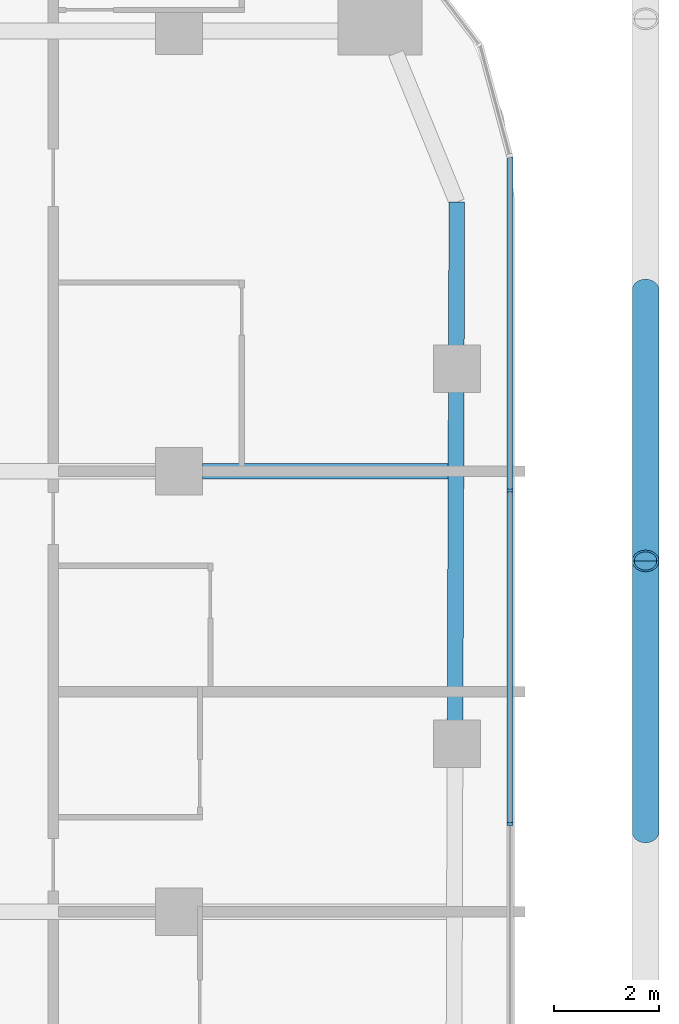
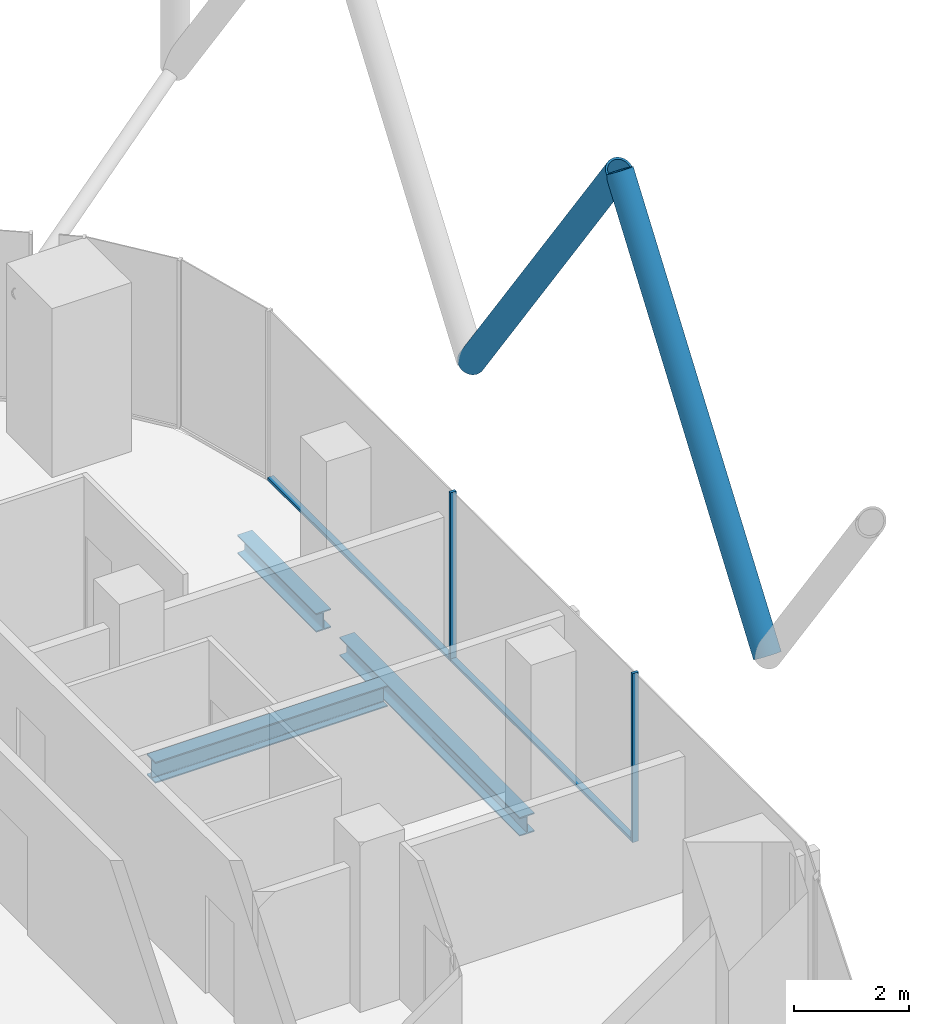
# One storey, part 13 of 33: 6 members, 3 beams, 1 element without a shape of its own.
"""IFC4 building model written with IfcOpenShell, lengths in metres."""

from ifc_helpers import new_model, si_unit, direction, frame, origin, origin_2d, place, context, subcontext, project, spatial, rectangle, hollow_circle, i_section, extrude, material, layer, layer_set, material_profile, profile_set, type_object, element, aggregate, save


model = new_model("IFC4")

# Units and contexts
model_context = context("Model", 3, precision=1e-05, world=origin(), true_north=direction((0.0, 1.0)))
body_context = subcontext(model_context, "Body", "Model", "MODEL_VIEW")
ifc_project = project(units=[si_unit("LENGTHUNIT", "METRE"), si_unit("AREAUNIT", "SQUARE_METRE"), si_unit("VOLUMEUNIT", "CUBIC_METRE"), si_unit("PLANEANGLEUNIT", "RADIAN"), si_unit("MASSUNIT", "GRAM", prefix="KILO")], contexts=[model_context])

# Site, building, storey
site_placement = place(None, origin())
site = spatial("IfcSite", under=ifc_project, at=site_placement, CompositionType="ELEMENT")
building_placement = place(site_placement, origin())
building = spatial("IfcBuilding", under=site, at=building_placement, Name="Marenta Gate Hotel Tower", CompositionType="ELEMENT")
storey_placement = place(building_placement, frame((0.0, 0.0, 137.300048828125)))
storey = spatial("IfcBuildingStorey", under=building, at=storey_placement, Name="L31", CompositionType="ELEMENT", Elevation=137.300048828125)

# Members
ifc_material_1 = material(Name="Steel S355J2W", Category="steel")
ifc_material_profile_1 = material_profile(ifc_material_1, hollow_circle(Radius=0.25390625, WallThickness=0.0400390625, at=origin_2d()), Name="CHS 508x40")
ifc_profile_set_1 = profile_set([ifc_material_profile_1], Name="Steel S355J2W")
member_type_1 = type_object("IfcMemberType", Name="Diagrid diagonal Z2 CHS 508x40", PredefinedType="BRACE", material=ifc_profile_set_1)
member_1_placement = place(storey_placement, frame((29.89990234375, 20.260009765625, 3.139892578125), z_axis=(0.0, -0.583260841117, 0.812284919975), x_axis=(1.0, 0.0, 0.0)))
element("IfcMember", 1, at=member_1_placement, inside=storey, type_object=member_type_1, Name="L31-DG-3", PredefinedType="BRACE", context=body_context, shape_type="SweptSolid", body=[
    extrude(hollow_circle(Radius=0.25390625, WallThickness=0.0400390625, at=origin_2d()), origin(), (0.0, 0.0, 1.0), 8.86376953125),
])
member_2_placement = place(storey_placement, frame((29.89990234375, 9.919921875, 3.139892578125), z_axis=(0.0, 0.583279014058, 0.812271870595), x_axis=(-1.0, 0.0, 0.0)))
element("IfcMember", 2, at=member_2_placement, inside=storey, type_object=member_type_1, Name="L31-DG-4", PredefinedType="BRACE", context=body_context, shape_type="SweptSolid", body=[
    extrude(hollow_circle(Radius=0.25390625, WallThickness=0.0400390625, at=origin_2d()), origin(), (0.0, 0.0, 1.0), 8.864013671875),
])

# Beams
ifc_material_2 = material(Name="Steel S355", Category="steel")
ifc_material_profile_2 = material_profile(ifc_material_2, i_section(OverallWidth=0.300048828125, OverallDepth=0.39990234375, WebThickness=0.013427734375, FlangeThickness=0.02392578125, FilletRadius=0.027099609375, at=origin_2d()), Name="HEB 400")
ifc_profile_set_2 = profile_set([ifc_material_profile_2], Name="Steel S355")
beam_type_1 = type_object("IfcBeamType", Name="Edge beam HEB 400", PredefinedType="SPANDREL", material=ifc_profile_set_2)
beam_1_placement = place(storey_placement, frame((26.300048828125, 21.9345703125, -0.4599609375), z_axis=(-0.003351542298, -0.999994383566, 0.0), x_axis=(0.999994383566, -0.003351542298, 0.0)))
element("IfcBeam", 3, at=beam_1_placement, inside=storey, type_object=beam_type_1, Name="L31-EB-22", PredefinedType="SPANDREL", context=body_context, shape_type="SweptSolid", body=[
    extrude(i_section(OverallWidth=0.300048828125, OverallDepth=0.39990234375, WebThickness=0.013427734375, FlangeThickness=0.02392578125, FilletRadius=0.027099609375, at=origin_2d()), origin(), (0.0, 0.0, 1.0), 2.76806640625),
])
beam_2_placement = place(storey_placement, frame((26.2880859375, 18.346435546875, -0.4599609375), z_axis=(-0.00335374545, -0.99999437618, 0.0), x_axis=(0.99999437618, -0.00335374545, 0.0)))
element("IfcBeam", 4, at=beam_2_placement, inside=storey, type_object=beam_type_1, Name="L31-EB-23", PredefinedType="SPANDREL", context=body_context, shape_type="SweptSolid", body=[
    extrude(i_section(OverallWidth=0.300048828125, OverallDepth=0.39990234375, WebThickness=0.013427734375, FlangeThickness=0.02392578125, FilletRadius=0.027099609375, at=origin_2d()), origin(), (0.0, 0.0, 1.0), 6.333251953125),
])
ifc_material_3 = material(Name="Steel S355", Category="steel")
ifc_material_profile_3 = material_profile(ifc_material_3, i_section(OverallWidth=0.300048828125, OverallDepth=0.449951171875, WebThickness=0.013916015625, FlangeThickness=0.02587890625, FilletRadius=0.027099609375, at=origin_2d()), Name="HEB 450")
ifc_profile_set_3 = profile_set([ifc_material_profile_3], Name="Steel S355")
beam_type_2 = type_object("IfcBeamType", Name="Girder HEB 450", PredefinedType="BEAM", material=ifc_profile_set_3)
beam_3_placement = place(storey_placement, frame((21.449951171875, 16.800048828125, -0.485107421875), z_axis=(1.0, 0.0, 0.0), x_axis=(0.0, 1.0, 0.0)))
element("IfcBeam", 5, at=beam_3_placement, inside=storey, type_object=beam_type_2, Name="L31-GD-28", PredefinedType="BEAM", context=body_context, shape_type="SweptSolid", body=[
    extrude(i_section(OverallWidth=0.300048828125, OverallDepth=0.449951171875, WebThickness=0.013916015625, FlangeThickness=0.02587890625, FilletRadius=0.027099609375, at=origin_2d()), origin(), (0.0, 0.0, 1.0), 4.682861328125),
])

# Curtain wall, members
ifc_material_4 = material(Name="Tinted insulated glass in bronze anodised frame", Category="glass")
ifc_layer = layer(ifc_material_4, 0.1201171875)
ifc_layer_set = layer_set([ifc_layer], Name="Tinted insulated glass in bronze anodised frame")
curtain_wall_type = type_object("IfcCurtainWallType", Name="Tower unitised curtain wall CW1", PredefinedType="NOTDEFINED", material=ifc_layer_set)
curtain_wall_placement = place(storey_placement, origin())
curtain_wall = element("IfcCurtainWall", 6, at=curtain_wall_placement, inside=storey, type_object=curtain_wall_type, Name="CW1 run G19", PredefinedType="NOTDEFINED")
ifc_material_5 = material(Name="Bronze anodised aluminium", Category="aluminium")
ifc_material_profile_4 = material_profile(ifc_material_5, rectangle(XDim=0.1201171875, YDim=0.06005859375, at=origin_2d()), Name="Mullion CW1 60x120 bronze anodised aluminium")
ifc_profile_set_4 = profile_set([ifc_material_profile_4], Name="Bronze anodised aluminium")
member_type_2 = type_object("IfcMemberType", Name="Mullion CW1 60x120 bronze anodised aluminium", PredefinedType="MULLION", material=ifc_profile_set_4)
member_3_placement = place(storey_placement, frame((27.31396484375, 10.072021484375, 0.0), z_axis=(0.0, 0.0, 1.0), x_axis=(-1.0, 0.0, 0.0)))
member_3 = element("IfcMember", 7, at=member_3_placement, type_object=member_type_2, Name="CW1 mullion 5", PredefinedType="MULLION", context=body_context, shape_type="SweptSolid", body=[
    extrude(rectangle(XDim=0.1201171875, YDim=0.06005859375, at=origin_2d()), origin(), (0.0, 0.0, 1.0), 3.599853515625),
])
member_4_placement = place(storey_placement, frame((27.31396484375, 16.431884765625, 0.0), z_axis=(0.0, 0.0, 1.0), x_axis=(-1.0, 0.0, 0.0)))
member_4 = element("IfcMember", 8, at=member_4_placement, type_object=member_type_2, Name="CW1 mullion 6", PredefinedType="MULLION", context=body_context, shape_type="SweptSolid", body=[
    extrude(rectangle(XDim=0.1201171875, YDim=0.06005859375, at=origin_2d()), origin(), (0.0, 0.0, 1.0), 3.599853515625),
])
ifc_material_6 = material(Name="Bronze anodised aluminium", Category="aluminium")
ifc_material_profile_5 = material_profile(ifc_material_6, rectangle(XDim=0.1201171875, YDim=0.06005859375, at=origin_2d()), Name="Transom CW1 60x120 bronze anodised aluminium")
ifc_profile_set_5 = profile_set([ifc_material_profile_5], Name="Bronze anodised aluminium")
member_type_3 = type_object("IfcMemberType", Name="Transom CW1 60x120 bronze anodised aluminium", PredefinedType="USERDEFINED", material=ifc_profile_set_5)
member_5_placement = place(storey_placement, frame((27.31396484375, 10.10205078125, 0.030029296875), z_axis=(0.0, 1.0, 0.0), x_axis=(-1.0, 0.0, 0.0)))
member_5 = element("IfcMember", 9, at=member_5_placement, type_object=member_type_3, Name="CW1 transom 5.1", ObjectType="TRANSOM", PredefinedType="USERDEFINED", context=body_context, shape_type="SweptSolid", body=[
    extrude(rectangle(XDim=0.1201171875, YDim=0.06005859375, at=origin_2d()), origin(), (0.0, 0.0, 1.0), 6.2998046875),
])
member_6_placement = place(storey_placement, frame((27.31396484375, 16.4619140625, 0.030029296875), z_axis=(0.0, 1.0, 0.0), x_axis=(-1.0, 0.0, 0.0)))
member_6 = element("IfcMember", 10, at=member_6_placement, type_object=member_type_3, Name="CW1 transom 6.1", ObjectType="TRANSOM", PredefinedType="USERDEFINED", context=body_context, shape_type="SweptSolid", body=[
    extrude(rectangle(XDim=0.1201171875, YDim=0.06005859375, at=origin_2d()), origin(), (0.0, 0.0, 1.0), 6.330078125),
])
aggregate(curtain_wall, [member_3, member_4, member_5, member_6])

save(model, "model.ifc")
